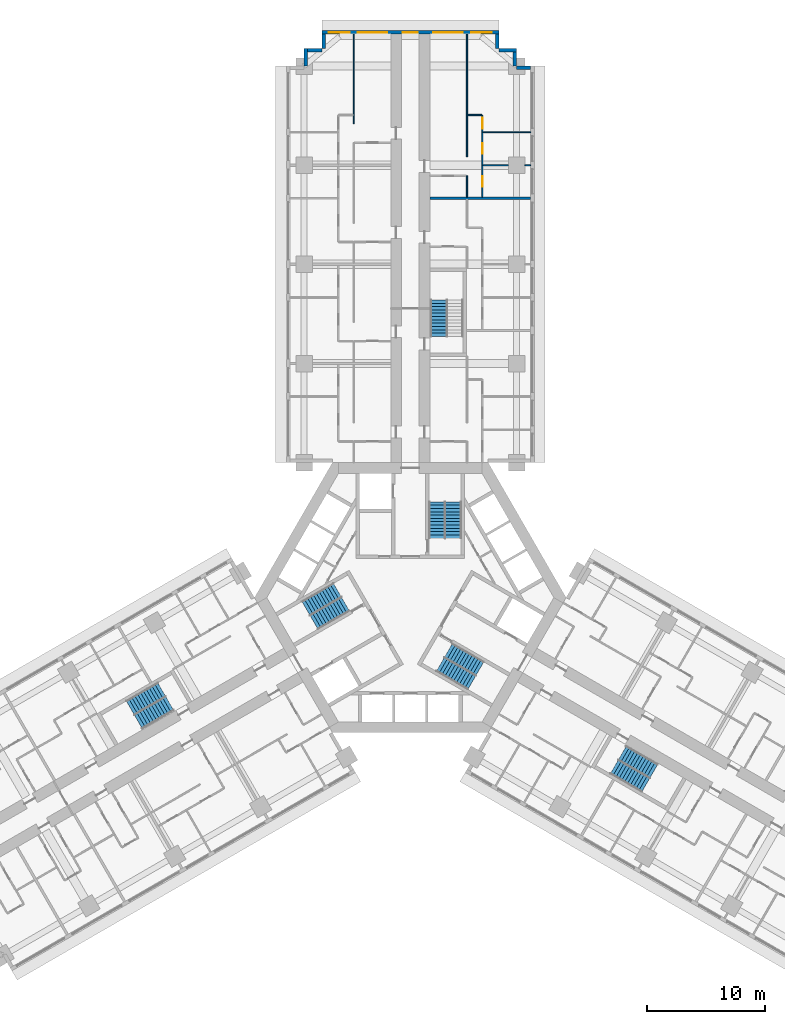
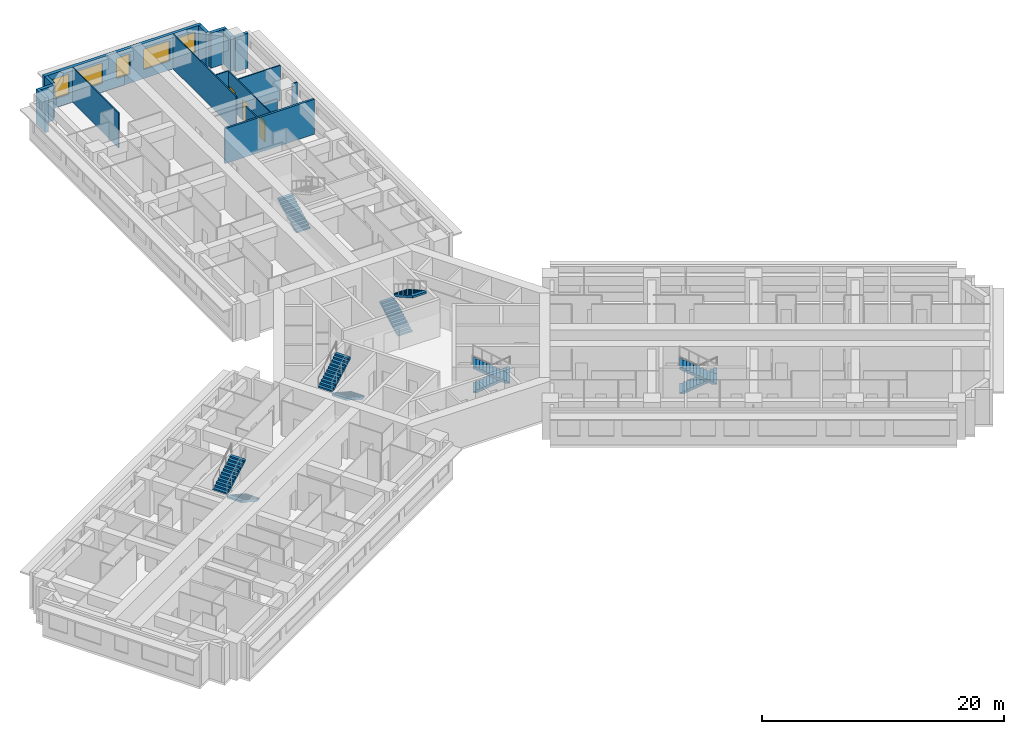
# One storey, part 14 of 16: 17 walls, 11 stair flights, 5 windows, 3 doors, 8 openings, 6 elements without a shape of their own.
"""IFC4 building model written with IfcOpenShell, lengths in metres."""

from ifc_helpers import new_model, si_unit, direction, frame, frame_2d, origin, place, context, subcontext, project, spatial, polyline, rectangle, outline, extrude, material, layer, layer_set, type_object, element, fill, aggregate, save


model = new_model("IFC4")

# Units and contexts
model_context = context("Model", 3, precision=1e-05, world=origin(), true_north=direction((0.0, 1.0)))
body_context = subcontext(model_context, "Body", "Model", "MODEL_VIEW")
ifc_project = project(units=[si_unit("LENGTHUNIT", "METRE"), si_unit("AREAUNIT", "SQUARE_METRE"), si_unit("VOLUMEUNIT", "CUBIC_METRE"), si_unit("PLANEANGLEUNIT", "RADIAN"), si_unit("MASSUNIT", "GRAM", prefix="KILO")], contexts=[model_context])

# Site, building, storey
site_placement = place(None, origin())
site = spatial("IfcSite", under=ifc_project, at=site_placement, CompositionType="ELEMENT")
building_placement = place(site_placement, origin())
building = spatial("IfcBuilding", under=site, at=building_placement, Name="Impinga Residences", CompositionType="ELEMENT")
storey_placement = place(building_placement, frame((0.0, 0.0, 74.75)))
storey = spatial("IfcBuildingStorey", under=building, at=storey_placement, Name="L18", CompositionType="ELEMENT", Elevation=74.75)

# Walls
ifc_material_1 = material(Name="Terracotta rainscreen on blockwork", Category="masonry")
ifc_layer_1 = layer(ifc_material_1, 0.300048828125)
ifc_layer_set_1 = layer_set([ifc_layer_1], Name="EW1 external wall, terracotta rainscreen on blockwork 300")
wall_type_1 = type_object("IfcWallType", Name="EW1 external wall, terracotta rainscreen on blockwork 300", PredefinedType="SOLIDWALL", material=ifc_layer_set_1)
wall_1_placement = place(storey_placement, frame((-8.85009765625, 45.03662109375, 0.0), z_axis=(0.0, 0.0, 1.0), x_axis=(0.0, 1.0, 0.0)))
element("IfcWall", 1, at=wall_1_placement, inside=storey, type_object=wall_type_1, Name="External wall EW1 L18", PredefinedType="SOLIDWALL", context=body_context, shape_type="SweptSolid", body=[
    extrude(rectangle(XDim=1.494873046875, YDim=0.300048828125, at=frame_2d((0.74755859375, 0.0))), origin(), (0.0, 0.0, 1.0), 3.530029296875),
])
wall_2_placement = place(storey_placement, frame((-8.699951171875, 46.381591796875, 0.0), z_axis=(0.0, 0.0, 1.0), x_axis=(1.0, 0.0, 0.0)))
element("IfcWall", 2, at=wall_2_placement, inside=storey, type_object=wall_type_1, Name="External wall EW1 L18", PredefinedType="SOLIDWALL", context=body_context, shape_type="SweptSolid", body=[
    extrude(rectangle(XDim=1.199951171875, YDim=0.300048828125, at=frame_2d((0.60009765625, 0.0))), origin(), (0.0, 0.0, 1.0), 3.530029296875),
])
wall_3_placement = place(storey_placement, frame((-7.35009765625, 46.53662109375, 0.0), z_axis=(0.0, 0.0, 1.0), x_axis=(0.0, 1.0, 0.0)))
element("IfcWall", 3, at=wall_3_placement, inside=storey, type_object=wall_type_1, Name="External wall EW1 L18", PredefinedType="SOLIDWALL", context=body_context, shape_type="SweptSolid", body=[
    extrude(rectangle(XDim=1.19482421875, YDim=0.300048828125, at=frame_2d((0.597412109375, 0.0))), origin(), (0.0, 0.0, 1.0), 3.530029296875),
])

# Wall, openings, windows
wall_4_placement = place(storey_placement, frame((-7.5, 47.881591796875, 0.0), z_axis=(0.0, 0.0, 1.0), x_axis=(1.0, 0.0, 0.0)))
wall_4 = element("IfcWall", 4, at=wall_4_placement, inside=storey, type_object=wall_type_1, Name="External wall EW1 L18", PredefinedType="SOLIDWALL", context=body_context, shape_type="SweptSolid", body=[
    extrude(rectangle(XDim=15.0, YDim=0.300048828125, at=frame_2d((7.5, 0.0))), origin(), (0.0, 0.0, 1.0), 3.530029296875),
])
opening_1_placement = place(wall_4_placement, frame((0.60009765625, 0.0, 0.89990234375)))
opening_1 = element("IfcOpeningElement", 5, at=opening_1_placement, cuts=wall_4, Name="Opening W1", PredefinedType="OPENING", context=body_context, shape_type="SweptSolid", body=[
    extrude(rectangle(XDim=1.75, YDim=2.050048828125, at=frame_2d((0.875, 1.02490234375))), frame((0.0, 0.159912109375, 0.0), z_axis=(0.0, -1.0, 0.0), x_axis=(1.0, 0.0, 0.0)), (0.0, 0.0, 1.0), 0.320068359375),
])
opening_2_placement = place(wall_4_placement, frame((3.050048828125, 0.0, 0.89990234375)))
opening_2 = element("IfcOpeningElement", 6, at=opening_2_placement, cuts=wall_4, Name="Opening W2", PredefinedType="OPENING", context=body_context, shape_type="SweptSolid", body=[
    extrude(rectangle(XDim=2.5, YDim=2.050048828125, at=frame_2d((1.25, 1.02490234375))), frame((0.0, 0.159912109375, 0.0), z_axis=(0.0, -1.0, 0.0), x_axis=(1.0, 0.0, 0.0)), (0.0, 0.0, 1.0), 0.320068359375),
])
opening_3_placement = place(wall_4_placement, frame((6.85009765625, 0.0, 0.89990234375)))
opening_3 = element("IfcOpeningElement", 7, at=opening_3_placement, cuts=wall_4, Name="Opening WE1", PredefinedType="OPENING", context=body_context, shape_type="SweptSolid", body=[
    extrude(rectangle(XDim=1.300048828125, YDim=2.050048828125, at=frame_2d((0.64990234375, 1.02490234375))), frame((0.0, 0.159912109375, 0.0), z_axis=(0.0, -1.0, 0.0), x_axis=(1.0, 0.0, 0.0)), (0.0, 0.0, 1.0), 0.320068359375),
])
opening_4_placement = place(wall_4_placement, frame((9.449951171875, 0.0, 0.89990234375)))
opening_4 = element("IfcOpeningElement", 8, at=opening_4_placement, cuts=wall_4, Name="Opening W2", PredefinedType="OPENING", context=body_context, shape_type="SweptSolid", body=[
    extrude(rectangle(XDim=2.5, YDim=2.050048828125, at=frame_2d((1.25, 1.02490234375))), frame((0.0, 0.159912109375, 0.0), z_axis=(0.0, -1.0, 0.0), x_axis=(1.0, 0.0, 0.0)), (0.0, 0.0, 1.0), 0.320068359375),
])
opening_5_placement = place(wall_4_placement, frame((12.64990234375, 0.0, 0.89990234375)))
opening_5 = element("IfcOpeningElement", 9, at=opening_5_placement, cuts=wall_4, Name="Opening W1", PredefinedType="OPENING", context=body_context, shape_type="SweptSolid", body=[
    extrude(rectangle(XDim=1.75, YDim=2.050048828125, at=frame_2d((0.875, 1.02490234375))), frame((0.0, 0.159912109375, 0.0), z_axis=(0.0, -1.0, 0.0), x_axis=(1.0, 0.0, 0.0)), (0.0, 0.0, 1.0), 0.320068359375),
])
ifc_material_2 = material(Name="Aluminium window, clear double glazing", Category="aluminium")
window_type_1 = type_object("IfcWindowType", Name="W1 ribbon window 1750x2050", PartitioningType="SINGLE_PANEL", PredefinedType="WINDOW", material=ifc_material_2)
window_1_placement = place(opening_1_placement, origin())
window_1 = element("IfcWindow", 10, at=window_1_placement, inside=storey, type_object=window_type_1, Name="Window L18", OverallHeight=2.050048828125, OverallWidth=1.75, PartitioningType="SINGLE_PANEL", PredefinedType="WINDOW", context=body_context, shape_type="SweptSolid", body=[
    extrude(rectangle(XDim=1.75, YDim=2.050048828125, at=frame_2d((0.875, 1.02490234375))), frame((0.0, 0.030029296875, 0.0), z_axis=(0.0, -1.0, 0.0), x_axis=(1.0, 0.0, 0.0)), (0.0, 0.0, 1.0), 0.06005859375),
])
fill(opening_1, window_1)
window_2_placement = place(opening_5_placement, origin())
window_2 = element("IfcWindow", 11, at=window_2_placement, inside=storey, type_object=window_type_1, Name="Window L18", OverallHeight=2.050048828125, OverallWidth=1.75, PartitioningType="SINGLE_PANEL", PredefinedType="WINDOW", context=body_context, shape_type="SweptSolid", body=[
    extrude(rectangle(XDim=1.75, YDim=2.050048828125, at=frame_2d((0.875, 1.02490234375))), frame((0.0, 0.030029296875, 0.0), z_axis=(0.0, -1.0, 0.0), x_axis=(1.0, 0.0, 0.0)), (0.0, 0.0, 1.0), 0.06005859375),
])
fill(opening_5, window_2)
window_type_2 = type_object("IfcWindowType", Name="W2 ribbon window 2500x2050", PartitioningType="SINGLE_PANEL", PredefinedType="WINDOW", material=ifc_material_2)
window_3_placement = place(opening_2_placement, origin())
window_3 = element("IfcWindow", 12, at=window_3_placement, inside=storey, type_object=window_type_2, Name="Window L18", OverallHeight=2.050048828125, OverallWidth=2.5, PartitioningType="SINGLE_PANEL", PredefinedType="WINDOW", context=body_context, shape_type="SweptSolid", body=[
    extrude(rectangle(XDim=2.5, YDim=2.050048828125, at=frame_2d((1.25, 1.02490234375))), frame((0.0, 0.030029296875, 0.0), z_axis=(0.0, -1.0, 0.0), x_axis=(1.0, 0.0, 0.0)), (0.0, 0.0, 1.0), 0.06005859375),
])
fill(opening_2, window_3)
window_4_placement = place(opening_4_placement, origin())
window_4 = element("IfcWindow", 13, at=window_4_placement, inside=storey, type_object=window_type_2, Name="Window L18", OverallHeight=2.050048828125, OverallWidth=2.5, PartitioningType="SINGLE_PANEL", PredefinedType="WINDOW", context=body_context, shape_type="SweptSolid", body=[
    extrude(rectangle(XDim=2.5, YDim=2.050048828125, at=frame_2d((1.25, 1.02490234375))), frame((0.0, 0.030029296875, 0.0), z_axis=(0.0, -1.0, 0.0), x_axis=(1.0, 0.0, 0.0)), (0.0, 0.0, 1.0), 0.06005859375),
])
fill(opening_4, window_4)
window_type_3 = type_object("IfcWindowType", Name="WE1 corridor window 1300x2050", PartitioningType="SINGLE_PANEL", PredefinedType="WINDOW", material=ifc_material_2)
window_5_placement = place(opening_3_placement, origin())
window_5 = element("IfcWindow", 14, at=window_5_placement, inside=storey, type_object=window_type_3, Name="Window L18", OverallHeight=2.050048828125, OverallWidth=1.300048828125, PartitioningType="SINGLE_PANEL", PredefinedType="WINDOW", context=body_context, shape_type="SweptSolid", body=[
    extrude(rectangle(XDim=1.300048828125, YDim=2.050048828125, at=frame_2d((0.64990234375, 1.02490234375))), frame((0.0, 0.030029296875, 0.0), z_axis=(0.0, -1.0, 0.0), x_axis=(1.0, 0.0, 0.0)), (0.0, 0.0, 1.0), 0.06005859375),
])
fill(opening_3, window_5)

# Walls
wall_5_placement = place(storey_placement, frame((7.35009765625, 47.7314453125, 0.0), z_axis=(0.0, 0.0, 1.0), x_axis=(0.0, -1.0, 0.0)))
element("IfcWall", 15, at=wall_5_placement, inside=storey, type_object=wall_type_1, Name="External wall EW1 L18", PredefinedType="SOLIDWALL", context=body_context, shape_type="SweptSolid", body=[
    extrude(rectangle(XDim=1.19482421875, YDim=0.300048828125, at=frame_2d((0.597412109375, 0.0))), origin(), (0.0, 0.0, 1.0), 3.530029296875),
])
wall_6_placement = place(storey_placement, frame((7.5, 46.381591796875, 0.0), z_axis=(0.0, 0.0, 1.0), x_axis=(1.0, 0.0, 0.0)))
element("IfcWall", 16, at=wall_6_placement, inside=storey, type_object=wall_type_1, Name="External wall EW1 L18", PredefinedType="SOLIDWALL", context=body_context, shape_type="SweptSolid", body=[
    extrude(rectangle(XDim=1.5, YDim=0.300048828125, at=frame_2d((0.75, 0.0))), origin(), (0.0, 0.0, 1.0), 3.530029296875),
])
wall_7_placement = place(storey_placement, frame((8.85009765625, 46.2314453125, 0.0), z_axis=(0.0, 0.0, 1.0), x_axis=(0.0, -1.0, 0.0)))
element("IfcWall", 17, at=wall_7_placement, inside=storey, type_object=wall_type_1, Name="External wall EW1 L18", PredefinedType="SOLIDWALL", context=body_context, shape_type="SweptSolid", body=[
    extrude(rectangle(XDim=1.199951171875, YDim=0.300048828125, at=frame_2d((0.60009765625, 0.0))), origin(), (0.0, 0.0, 1.0), 3.530029296875),
])
wall_8_placement = place(storey_placement, frame((9.0048828125, 44.881591796875, 0.0), z_axis=(0.0, 0.0, 1.0), x_axis=(1.0, 0.0, 0.0)))
element("IfcWall", 18, at=wall_8_placement, inside=storey, type_object=wall_type_1, Name="External wall EW1 L18", PredefinedType="SOLIDWALL", context=body_context, shape_type="SweptSolid", body=[
    extrude(rectangle(XDim=1.195068359375, YDim=0.300048828125, at=frame_2d((0.59765625, 0.0))), origin(), (0.0, 0.0, 1.0), 3.530029296875),
])
ifc_material_3 = material(Name="Gypsum board on steel studs", Category="steel")
ifc_layer_2 = layer(ifc_material_3, 0.10009765625)
ifc_layer_set_2 = layer_set([ifc_layer_2], Name="Gypsum board on steel studs")
wall_type_2 = type_object("IfcWallType", Name="IP1 partition 100", PredefinedType="PARTITIONING", material=ifc_layer_set_2)
wall_9_placement = place(storey_placement, frame((-4.800048828125, 40.131591796875, 0.0), z_axis=(0.0, 0.0, 1.0), x_axis=(0.0, 1.0, 0.0)))
element("IfcWall", 19, at=wall_9_placement, inside=storey, type_object=wall_type_2, Name="Partition L18-NA4:DIV1", PredefinedType="PARTITIONING", context=body_context, shape_type="SweptSolid", body=[
    extrude(rectangle(XDim=7.599853515625, YDim=0.10009765625, at=frame_2d((3.7998046875, 0.0))), origin(), (0.0, 0.0, 1.0), 3.530029296875),
])
wall_10_placement = place(storey_placement, frame((4.800048828125, 33.931640625, 0.0), z_axis=(0.0, 0.0, 1.0), x_axis=(0.0, 1.0, 0.0)))
element("IfcWall", 20, at=wall_10_placement, inside=storey, type_object=wall_type_2, Name="Partition L18-NF3:DIV0", PredefinedType="PARTITIONING", context=body_context, shape_type="SweptSolid", body=[
    extrude(rectangle(XDim=1.7998046875, YDim=0.10009765625, at=frame_2d((0.89990234375, 0.0))), origin(), (0.0, 0.0, 1.0), 3.530029296875),
])
wall_11_placement = place(storey_placement, frame((4.800048828125, 37.33154296875, 0.0), z_axis=(0.0, 0.0, 1.0), x_axis=(0.0, 1.0, 0.0)))
element("IfcWall", 21, at=wall_11_placement, inside=storey, type_object=wall_type_2, Name="Partition L18-NF3:DIV1", PredefinedType="PARTITIONING", context=body_context, shape_type="SweptSolid", body=[
    extrude(rectangle(XDim=10.39990234375, YDim=0.10009765625, at=frame_2d((5.199951171875, 0.0))), origin(), (0.0, 0.0, 1.0), 3.530029296875),
])

# Wall, openings, doors
wall_12_placement = place(storey_placement, frame((6.10009765625, 33.931640625, 0.0), z_axis=(0.0, 0.0, 1.0), x_axis=(0.0, 1.0, 0.0)))
wall_12 = element("IfcWall", 22, at=wall_12_placement, inside=storey, type_object=wall_type_2, Name="Partition L18-NF3:STRIP", PredefinedType="PARTITIONING", context=body_context, shape_type="SweptSolid", body=[
    extrude(rectangle(XDim=6.949951171875, YDim=0.10009765625, at=frame_2d((3.47509765625, 0.0))), origin(), (0.0, 0.0, 1.0), 3.530029296875),
])
opening_6_placement = place(wall_12_placement, frame((0.875, 0.0, 0.0)))
opening_6 = element("IfcOpeningElement", 23, at=opening_6_placement, cuts=wall_12, Name="Opening D2", PredefinedType="OPENING", context=body_context, shape_type="SweptSolid", body=[
    extrude(rectangle(XDim=0.89990234375, YDim=2.10009765625, at=frame_2d((0.449951171875, 1.050048828125))), frame((0.0, 0.06005859375, 0.0), z_axis=(0.0, -1.0, 0.0), x_axis=(1.0, 0.0, 0.0)), (0.0, 0.0, 1.0), 0.1201171875),
])
opening_7_placement = place(wall_12_placement, frame((3.64990234375, 0.0, 0.0)))
opening_7 = element("IfcOpeningElement", 24, at=opening_7_placement, cuts=wall_12, Name="Opening D2", PredefinedType="OPENING", context=body_context, shape_type="SweptSolid", body=[
    extrude(rectangle(XDim=0.89990234375, YDim=2.10009765625, at=frame_2d((0.449951171875, 1.050048828125))), frame((0.0, 0.06005859375, 0.0), z_axis=(0.0, -1.0, 0.0), x_axis=(1.0, 0.0, 0.0)), (0.0, 0.0, 1.0), 0.1201171875),
])
opening_8_placement = place(wall_12_placement, frame((5.800048828125, 0.0, 0.0)))
opening_8 = element("IfcOpeningElement", 25, at=opening_8_placement, cuts=wall_12, Name="Opening D2", PredefinedType="OPENING", context=body_context, shape_type="SweptSolid", body=[
    extrude(rectangle(XDim=0.89990234375, YDim=2.10009765625, at=frame_2d((0.449951171875, 1.050048828125))), frame((0.0, 0.06005859375, 0.0), z_axis=(0.0, -1.0, 0.0), x_axis=(1.0, 0.0, 0.0)), (0.0, 0.0, 1.0), 0.1201171875),
])
ifc_material_4 = material(Name="Timber door set", Category="wood")
door_type = type_object("IfcDoorType", Name="D2 internal door 900x2100", OperationType="SINGLE_SWING_LEFT", PredefinedType="DOOR", material=ifc_material_4)
door_1_placement = place(opening_6_placement, origin())
door_1 = element("IfcDoor", 26, at=door_1_placement, inside=storey, type_object=door_type, Name="Apartment L18-NF3 room door", OperationType="SINGLE_SWING_LEFT", OverallHeight=2.10009765625, OverallWidth=0.89990234375, PredefinedType="DOOR", context=body_context, shape_type="SweptSolid", body=[
    extrude(rectangle(XDim=0.89990234375, YDim=2.10009765625, at=frame_2d((0.449951171875, 1.050048828125))), frame((0.0, 0.02490234375, 0.0), z_axis=(0.0, -1.0, 0.0), x_axis=(1.0, 0.0, 0.0)), (0.0, 0.0, 1.0), 0.050048828125),
])
fill(opening_6, door_1)
door_2_placement = place(opening_7_placement, origin())
door_2 = element("IfcDoor", 27, at=door_2_placement, inside=storey, type_object=door_type, Name="Apartment L18-NF3 room door", OperationType="SINGLE_SWING_RIGHT", OverallHeight=2.10009765625, OverallWidth=0.89990234375, PredefinedType="DOOR", context=body_context, shape_type="SweptSolid", body=[
    extrude(rectangle(XDim=0.89990234375, YDim=2.10009765625, at=frame_2d((0.449951171875, 1.050048828125))), frame((0.0, 0.02490234375, 0.0), z_axis=(0.0, -1.0, 0.0), x_axis=(1.0, 0.0, 0.0)), (0.0, 0.0, 1.0), 0.050048828125),
])
fill(opening_7, door_2)
door_3_placement = place(opening_8_placement, origin())
door_3 = element("IfcDoor", 28, at=door_3_placement, inside=storey, type_object=door_type, Name="Apartment L18-NF3 room door", OperationType="SINGLE_SWING_RIGHT", OverallHeight=2.10009765625, OverallWidth=0.89990234375, PredefinedType="DOOR", context=body_context, shape_type="SweptSolid", body=[
    extrude(rectangle(XDim=0.89990234375, YDim=2.10009765625, at=frame_2d((0.449951171875, 1.050048828125))), frame((0.0, 0.02490234375, 0.0), z_axis=(0.0, -1.0, 0.0), x_axis=(1.0, 0.0, 0.0)), (0.0, 0.0, 1.0), 0.050048828125),
])
fill(opening_8, door_3)

# Walls
wall_13_placement = place(storey_placement, frame((4.85009765625, 40.881591796875, 0.0), z_axis=(0.0, 0.0, 1.0), x_axis=(1.0, 0.0, 0.0)))
element("IfcWall", 29, at=wall_13_placement, inside=storey, type_object=wall_type_2, Name="Partition L18-NF3:SE1", PredefinedType="PARTITIONING", context=body_context, shape_type="SweptSolid", body=[
    extrude(rectangle(XDim=1.199951171875, YDim=0.10009765625, at=frame_2d((0.60009765625, 0.0))), origin(), (0.0, 0.0, 1.0), 3.530029296875),
])
wall_14_placement = place(storey_placement, frame((6.14990234375, 36.631591796875, 0.0), z_axis=(0.0, 0.0, 1.0), x_axis=(1.0, 0.0, 0.0)))
element("IfcWall", 30, at=wall_14_placement, inside=storey, type_object=wall_type_2, Name="Partition L18-NF3:OB1", PredefinedType="PARTITIONING", context=body_context, shape_type="SweptSolid", body=[
    extrude(rectangle(XDim=2.150146484375, YDim=0.10009765625, at=frame_2d((1.0751953125, 0.0))), origin(), (0.0, 0.0, 1.0), 2.47998046875),
])
wall_15_placement = place(storey_placement, frame((9.699951171875, 36.631591796875, 0.0), z_axis=(0.0, 0.0, 1.0), x_axis=(1.0, 0.0, 0.0)))
element("IfcWall", 31, at=wall_15_placement, inside=storey, type_object=wall_type_2, Name="Partition L18-NF3:OB1b", PredefinedType="PARTITIONING", context=body_context, shape_type="SweptSolid", body=[
    extrude(rectangle(XDim=0.5, YDim=0.10009765625, at=frame_2d((0.25, 0.0))), origin(), (0.0, 0.0, 1.0), 3.530029296875),
])
wall_16_placement = place(storey_placement, frame((6.14990234375, 39.431640625, 0.0), z_axis=(0.0, 0.0, 1.0), x_axis=(1.0, 0.0, 0.0)))
element("IfcWall", 32, at=wall_16_placement, inside=storey, type_object=wall_type_2, Name="Partition L18-NF3:OB2", PredefinedType="PARTITIONING", context=body_context, shape_type="SweptSolid", body=[
    extrude(rectangle(XDim=4.050048828125, YDim=0.10009765625, at=frame_2d((2.02490234375, 0.0))), origin(), (0.0, 0.0, 1.0), 3.530029296875),
])
ifc_material_5 = material(Name="Concrete blockwork", Category="masonry")
ifc_layer_3 = layer(ifc_material_5, 0.199951171875)
ifc_layer_set_3 = layer_set([ifc_layer_3], Name="PW1 party wall between apartments 200")
wall_type_3 = type_object("IfcWallType", Name="PW1 party wall between apartments 200", PredefinedType="SOLIDWALL", material=ifc_layer_set_3)
wall_17_placement = place(storey_placement, frame((1.64990234375, 33.83154296875, 0.0), z_axis=(0.0, 0.0, 1.0), x_axis=(1.0, 0.0, 0.0)))
element("IfcWall", 33, at=wall_17_placement, inside=storey, type_object=wall_type_3, Name="Party wall between apartments L18-NF2:PARTY", PredefinedType="SOLIDWALL", context=body_context, shape_type="SweptSolid", body=[
    extrude(rectangle(XDim=8.550048828125, YDim=0.199951171875, at=frame_2d((4.27490234375, 0.0))), origin(), (0.0, 0.0, 1.0), 3.530029296875),
])

# Stair, stair flights
ifc_material_6 = material(Name="Concrete C40/50", Category="concrete")
stair_type_1 = type_object("IfcStairType", Name="STR core stair 3750 storey, 24 risers", PredefinedType="HALF_TURN_STAIR", material=ifc_material_6)
stair_1_placement = place(storey_placement, origin())
stair_1 = element("IfcStair", 34, at=stair_1_placement, inside=storey, type_object=stair_type_1, Name="Stair ST1 L18", PredefinedType="HALF_TURN_STAIR")
stair_flight_type = type_object("IfcStairFlightType", Name="SF 12 risers of 156", PredefinedType="STRAIGHT", material=ifc_material_6)
stair_flight_1_placement = place(storey_placement, frame((2.27490234375, 5.030029296875, 0.0), z_axis=(0.0, 0.0, 1.0), x_axis=(0.0, 1.0, 0.0)))
stair_flight_1 = element("IfcStairFlight", 35, at=stair_flight_1_placement, type_object=stair_flight_type, Name="ST1 flight 1", NumberOfRisers=12, NumberOfTreads=11, PredefinedType="STRAIGHT", RiserHeight=0.15625, TreadLength=0.28, context=body_context, shape_type="SweptSolid", body=[
    extrude(outline(polyline([(0.0, 0.0), (0.0, 0.15625), (0.280029296875, 0.15625), (0.280029296875, 0.3125), (0.56005859375, 0.3125), (0.56005859375, 0.46875), (0.840087890625, 0.46875), (0.840087890625, 0.625), (1.1201171875, 0.625), (1.1201171875, 0.78125), (1.39990234375, 0.78125), (1.39990234375, 0.9375), (1.679931640625, 0.9375), (1.679931640625, 1.09375), (1.9599609375, 1.09375), (1.9599609375, 1.25), (2.239990234375, 1.25), (2.239990234375, 1.40625), (2.52001953125, 1.40625), (2.52001953125, 1.5625), (2.800048828125, 1.5625), (2.800048828125, 1.71875), (3.080078125, 1.71875), (3.080078125, 1.875), (3.080078125, 1.5126953125), (0.369140625, 0.0), (0.0, 0.0)])), frame((0.0, 0.675048828125, 0.0), z_axis=(0.0, -1.0, 0.0), x_axis=(1.0, 0.0, 0.0)), (0.0, 0.0, 1.0), 1.35009765625),
])
stair_flight_2_placement = place(storey_placement, frame((3.625, 8.110107421875, 1.875), z_axis=(0.0, 0.0, 1.0), x_axis=(0.0, -1.0, 0.0)))
stair_flight_2 = element("IfcStairFlight", 36, at=stair_flight_2_placement, type_object=stair_flight_type, Name="ST1 flight 2", NumberOfRisers=12, NumberOfTreads=11, PredefinedType="STRAIGHT", RiserHeight=0.15625, TreadLength=0.28, context=body_context, shape_type="SweptSolid", body=[
    extrude(outline(polyline([(0.0, 0.0), (0.0, 0.15625), (0.280029296875, 0.15625), (0.280029296875, 0.3125), (0.56005859375, 0.3125), (0.56005859375, 0.46875), (0.840087890625, 0.46875), (0.840087890625, 0.625), (1.1201171875, 0.625), (1.1201171875, 0.78125), (1.39990234375, 0.78125), (1.39990234375, 0.9375), (1.679931640625, 0.9375), (1.679931640625, 1.09375), (1.9599609375, 1.09375), (1.9599609375, 1.25), (2.239990234375, 1.25), (2.239990234375, 1.40625), (2.52001953125, 1.40625), (2.52001953125, 1.5625), (2.800048828125, 1.5625), (2.800048828125, 1.71875), (3.080078125, 1.71875), (3.080078125, 1.875), (3.080078125, 1.5126953125), (0.369140625, 0.0), (0.0, 0.0)])), frame((0.0, 0.675048828125, 0.0), z_axis=(0.0, -1.0, 0.0), x_axis=(1.0, 0.0, 0.0)), (0.0, 0.0, 1.0), 1.35009765625),
])
aggregate(stair_1, [stair_flight_1, stair_flight_2])

stair_2_placement = place(storey_placement, origin())
stair_2 = element("IfcStair", 37, at=stair_2_placement, inside=storey, type_object=stair_type_1, Name="Stair ST2 L18", PredefinedType="HALF_TURN_STAIR")
stair_flight_3_placement = place(storey_placement, frame((-5.49365234375, -0.544677734375, 0.0), z_axis=(0.0, 0.0, 1.0), x_axis=(-0.866025403784, -0.5, 0.0)))
stair_flight_3 = element("IfcStairFlight", 38, at=stair_flight_3_placement, type_object=stair_flight_type, Name="ST2 flight 1", NumberOfRisers=12, NumberOfTreads=11, PredefinedType="STRAIGHT", RiserHeight=0.15625, TreadLength=0.28, context=body_context, shape_type="SweptSolid", body=[
    extrude(outline(polyline([(0.0, 0.0), (0.0, 0.15625), (0.280029296875, 0.15625), (0.280029296875, 0.3125), (0.56005859375, 0.3125), (0.56005859375, 0.46875), (0.840087890625, 0.46875), (0.840087890625, 0.625), (1.1201171875, 0.625), (1.1201171875, 0.78125), (1.39990234375, 0.78125), (1.39990234375, 0.9375), (1.679931640625, 0.9375), (1.679931640625, 1.09375), (1.9599609375, 1.09375), (1.9599609375, 1.25), (2.239990234375, 1.25), (2.239990234375, 1.40625), (2.52001953125, 1.40625), (2.52001953125, 1.5625), (2.800048828125, 1.5625), (2.800048828125, 1.71875), (3.080078125, 1.71875), (3.080078125, 1.875), (3.080078125, 1.5126953125), (0.369140625, 0.0), (0.0, 0.0)])), frame((0.0, 0.675048828125, 0.0), z_axis=(0.0, -1.0, 0.0), x_axis=(1.0, 0.0, 0.0)), (0.0, 0.0, 1.0), 1.35009765625),
])
stair_flight_4_placement = place(storey_placement, frame((-8.8359375, -0.915771484375, 1.875), z_axis=(0.0, 0.0, 1.0), x_axis=(0.866025403784, 0.5, 0.0)))
stair_flight_4 = element("IfcStairFlight", 39, at=stair_flight_4_placement, type_object=stair_flight_type, Name="ST2 flight 2", NumberOfRisers=12, NumberOfTreads=11, PredefinedType="STRAIGHT", RiserHeight=0.15625, TreadLength=0.28, context=body_context, shape_type="SweptSolid", body=[
    extrude(outline(polyline([(0.0, 0.0), (0.0, 0.15625), (0.280029296875, 0.15625), (0.280029296875, 0.3125), (0.56005859375, 0.3125), (0.56005859375, 0.46875), (0.840087890625, 0.46875), (0.840087890625, 0.625), (1.1201171875, 0.625), (1.1201171875, 0.78125), (1.39990234375, 0.78125), (1.39990234375, 0.9375), (1.679931640625, 0.9375), (1.679931640625, 1.09375), (1.9599609375, 1.09375), (1.9599609375, 1.25), (2.239990234375, 1.25), (2.239990234375, 1.40625), (2.52001953125, 1.40625), (2.52001953125, 1.5625), (2.800048828125, 1.5625), (2.800048828125, 1.71875), (3.080078125, 1.71875), (3.080078125, 1.875), (3.080078125, 1.5126953125), (0.369140625, 0.0), (0.0, 0.0)])), frame((0.0, 0.675048828125, 0.0), z_axis=(0.0, -1.0, 0.0), x_axis=(1.0, 0.0, 0.0)), (0.0, 0.0, 1.0), 1.35009765625),
])
aggregate(stair_2, [stair_flight_3, stair_flight_4])

stair_3_placement = place(storey_placement, origin())
stair_3 = element("IfcStair", 40, at=stair_3_placement, inside=storey, type_object=stair_type_1, Name="Stair ST3 L18", PredefinedType="HALF_TURN_STAIR")
stair_flight_5_placement = place(storey_placement, frame((3.218505859375, -4.485107421875, 0.0), z_axis=(0.0, 0.0, 1.0), x_axis=(0.866025403784, -0.5, 0.0)))
stair_flight_5 = element("IfcStairFlight", 41, at=stair_flight_5_placement, type_object=stair_flight_type, Name="ST3 flight 1", NumberOfRisers=12, NumberOfTreads=11, PredefinedType="STRAIGHT", RiserHeight=0.15625, TreadLength=0.28, context=body_context, shape_type="SweptSolid", body=[
    extrude(outline(polyline([(0.0, 0.0), (0.0, 0.15625), (0.280029296875, 0.15625), (0.280029296875, 0.3125), (0.56005859375, 0.3125), (0.56005859375, 0.46875), (0.840087890625, 0.46875), (0.840087890625, 0.625), (1.1201171875, 0.625), (1.1201171875, 0.78125), (1.39990234375, 0.78125), (1.39990234375, 0.9375), (1.679931640625, 0.9375), (1.679931640625, 1.09375), (1.9599609375, 1.09375), (1.9599609375, 1.25), (2.239990234375, 1.25), (2.239990234375, 1.40625), (2.52001953125, 1.40625), (2.52001953125, 1.5625), (2.800048828125, 1.5625), (2.800048828125, 1.71875), (3.080078125, 1.71875), (3.080078125, 1.875), (3.080078125, 1.5126953125), (0.369140625, 0.0), (0.0, 0.0)])), frame((0.0, 0.675048828125, 0.0), z_axis=(0.0, -1.0, 0.0), x_axis=(1.0, 0.0, 0.0)), (0.0, 0.0, 1.0), 1.35009765625),
])
stair_flight_6_placement = place(storey_placement, frame((5.2109375, -7.1943359375, 1.875), z_axis=(0.0, 0.0, 1.0), x_axis=(-0.866025403784, 0.5, 0.0)))
stair_flight_6 = element("IfcStairFlight", 42, at=stair_flight_6_placement, type_object=stair_flight_type, Name="ST3 flight 2", NumberOfRisers=12, NumberOfTreads=11, PredefinedType="STRAIGHT", RiserHeight=0.15625, TreadLength=0.28, context=body_context, shape_type="SweptSolid", body=[
    extrude(outline(polyline([(0.0, 0.0), (0.0, 0.15625), (0.280029296875, 0.15625), (0.280029296875, 0.3125), (0.56005859375, 0.3125), (0.56005859375, 0.46875), (0.840087890625, 0.46875), (0.840087890625, 0.625), (1.1201171875, 0.625), (1.1201171875, 0.78125), (1.39990234375, 0.78125), (1.39990234375, 0.9375), (1.679931640625, 0.9375), (1.679931640625, 1.09375), (1.9599609375, 1.09375), (1.9599609375, 1.25), (2.239990234375, 1.25), (2.239990234375, 1.40625), (2.52001953125, 1.40625), (2.52001953125, 1.5625), (2.800048828125, 1.5625), (2.800048828125, 1.71875), (3.080078125, 1.71875), (3.080078125, 1.875), (3.080078125, 1.5126953125), (0.369140625, 0.0), (0.0, 0.0)])), frame((0.0, 0.675048828125, 0.0), z_axis=(0.0, -1.0, 0.0), x_axis=(1.0, 0.0, 0.0)), (0.0, 0.0, 1.0), 1.35009765625),
])
aggregate(stair_3, [stair_flight_5, stair_flight_6])

# Stair, stair flight
stair_type_2 = type_object("IfcStairType", Name="STR wing stair 3750 storey, 24 risers", PredefinedType="HALF_TURN_STAIR", material=ifc_material_6)
stair_4_placement = place(storey_placement, origin())
stair_4 = element("IfcStair", 43, at=stair_4_placement, inside=storey, type_object=stair_type_2, Name="Stair WS1 L18", PredefinedType="HALF_TURN_STAIR")
stair_flight_7_placement = place(storey_placement, frame((2.425048828125, 22.131591796875, 0.0), z_axis=(0.0, 0.0, 1.0), x_axis=(0.0, 1.0, 0.0)))
stair_flight_7 = element("IfcStairFlight", 44, at=stair_flight_7_placement, type_object=stair_flight_type, Name="WS1 flight 1", NumberOfRisers=12, NumberOfTreads=11, PredefinedType="STRAIGHT", RiserHeight=0.15625, TreadLength=0.28, context=body_context, shape_type="SweptSolid", body=[
    extrude(outline(polyline([(0.0, 0.0), (0.0, 0.15625), (0.280029296875, 0.15625), (0.280029296875, 0.3125), (0.56005859375, 0.3125), (0.56005859375, 0.46875), (0.840087890625, 0.46875), (0.840087890625, 0.625), (1.1201171875, 0.625), (1.1201171875, 0.78125), (1.39990234375, 0.78125), (1.39990234375, 0.9375), (1.679931640625, 0.9375), (1.679931640625, 1.09375), (1.9599609375, 1.09375), (1.9599609375, 1.25), (2.239990234375, 1.25), (2.239990234375, 1.40625), (2.52001953125, 1.40625), (2.52001953125, 1.5625), (2.800048828125, 1.5625), (2.800048828125, 1.71875), (3.080078125, 1.71875), (3.080078125, 1.875), (3.080078125, 1.5126953125), (0.369140625, 0.0), (0.0, 0.0)])), frame((0.0, 0.675048828125, 0.0), z_axis=(0.0, -1.0, 0.0), x_axis=(1.0, 0.0, 0.0)), (0.0, 0.0, 1.0), 1.35009765625),
])
aggregate(stair_4, [stair_flight_7])

# Stair, stair flights
stair_5_placement = place(storey_placement, origin())
stair_5 = element("IfcStair", 45, at=stair_5_placement, inside=storey, type_object=stair_type_2, Name="Stair WS2 L18", PredefinedType="HALF_TURN_STAIR")
stair_flight_8_placement = place(storey_placement, frame((-20.37890625, -8.965576171875, 0.0), z_axis=(0.0, 0.0, 1.0), x_axis=(-0.866025403784, -0.5, 0.0)))
stair_flight_8 = element("IfcStairFlight", 46, at=stair_flight_8_placement, type_object=stair_flight_type, Name="WS2 flight 1", NumberOfRisers=12, NumberOfTreads=11, PredefinedType="STRAIGHT", RiserHeight=0.15625, TreadLength=0.28, context=body_context, shape_type="SweptSolid", body=[
    extrude(outline(polyline([(0.0, 0.0), (0.0, 0.15625), (0.280029296875, 0.15625), (0.280029296875, 0.3125), (0.56005859375, 0.3125), (0.56005859375, 0.46875), (0.840087890625, 0.46875), (0.840087890625, 0.625), (1.1201171875, 0.625), (1.1201171875, 0.78125), (1.39990234375, 0.78125), (1.39990234375, 0.9375), (1.679931640625, 0.9375), (1.679931640625, 1.09375), (1.9599609375, 1.09375), (1.9599609375, 1.25), (2.239990234375, 1.25), (2.239990234375, 1.40625), (2.52001953125, 1.40625), (2.52001953125, 1.5625), (2.800048828125, 1.5625), (2.800048828125, 1.71875), (3.080078125, 1.71875), (3.080078125, 1.875), (3.080078125, 1.5126953125), (0.369140625, 0.0), (0.0, 0.0)])), frame((0.0, 0.675048828125, 0.0), z_axis=(0.0, -1.0, 0.0), x_axis=(1.0, 0.0, 0.0)), (0.0, 0.0, 1.0), 1.35009765625),
])
stair_flight_9_placement = place(storey_placement, frame((-23.721435546875, -9.33642578125, 1.875), z_axis=(0.0, 0.0, 1.0), x_axis=(0.866025403784, 0.5, 0.0)))
stair_flight_9 = element("IfcStairFlight", 47, at=stair_flight_9_placement, type_object=stair_flight_type, Name="WS2 flight 2", NumberOfRisers=12, NumberOfTreads=11, PredefinedType="STRAIGHT", RiserHeight=0.15625, TreadLength=0.28, context=body_context, shape_type="SweptSolid", body=[
    extrude(outline(polyline([(0.0, 0.0), (0.0, 0.15625), (0.280029296875, 0.15625), (0.280029296875, 0.3125), (0.56005859375, 0.3125), (0.56005859375, 0.46875), (0.840087890625, 0.46875), (0.840087890625, 0.625), (1.1201171875, 0.625), (1.1201171875, 0.78125), (1.39990234375, 0.78125), (1.39990234375, 0.9375), (1.679931640625, 0.9375), (1.679931640625, 1.09375), (1.9599609375, 1.09375), (1.9599609375, 1.25), (2.239990234375, 1.25), (2.239990234375, 1.40625), (2.52001953125, 1.40625), (2.52001953125, 1.5625), (2.800048828125, 1.5625), (2.800048828125, 1.71875), (3.080078125, 1.71875), (3.080078125, 1.875), (3.080078125, 1.5126953125), (0.369140625, 0.0), (0.0, 0.0)])), frame((0.0, 0.675048828125, 0.0), z_axis=(0.0, -1.0, 0.0), x_axis=(1.0, 0.0, 0.0)), (0.0, 0.0, 1.0), 1.35009765625),
])
aggregate(stair_5, [stair_flight_8, stair_flight_9])

stair_6_placement = place(storey_placement, origin())
stair_6 = element("IfcStair", 48, at=stair_6_placement, inside=storey, type_object=stair_type_2, Name="Stair WS3 L18", PredefinedType="HALF_TURN_STAIR")
stair_flight_10_placement = place(storey_placement, frame((17.953857421875, -13.165771484375, 0.0), z_axis=(0.0, 0.0, 1.0), x_axis=(0.866025403784, -0.5, 0.0)))
stair_flight_10 = element("IfcStairFlight", 49, at=stair_flight_10_placement, type_object=stair_flight_type, Name="WS3 flight 1", NumberOfRisers=12, NumberOfTreads=11, PredefinedType="STRAIGHT", RiserHeight=0.15625, TreadLength=0.28, context=body_context, shape_type="SweptSolid", body=[
    extrude(outline(polyline([(0.0, 0.0), (0.0, 0.15625), (0.280029296875, 0.15625), (0.280029296875, 0.3125), (0.56005859375, 0.3125), (0.56005859375, 0.46875), (0.840087890625, 0.46875), (0.840087890625, 0.625), (1.1201171875, 0.625), (1.1201171875, 0.78125), (1.39990234375, 0.78125), (1.39990234375, 0.9375), (1.679931640625, 0.9375), (1.679931640625, 1.09375), (1.9599609375, 1.09375), (1.9599609375, 1.25), (2.239990234375, 1.25), (2.239990234375, 1.40625), (2.52001953125, 1.40625), (2.52001953125, 1.5625), (2.800048828125, 1.5625), (2.800048828125, 1.71875), (3.080078125, 1.71875), (3.080078125, 1.875), (3.080078125, 1.5126953125), (0.369140625, 0.0), (0.0, 0.0)])), frame((0.0, 0.675048828125, 0.0), z_axis=(0.0, -1.0, 0.0), x_axis=(1.0, 0.0, 0.0)), (0.0, 0.0, 1.0), 1.35009765625),
])
stair_flight_11_placement = place(storey_placement, frame((19.9462890625, -15.875, 1.875), z_axis=(0.0, 0.0, 1.0), x_axis=(-0.866025403784, 0.5, 0.0)))
stair_flight_11 = element("IfcStairFlight", 50, at=stair_flight_11_placement, type_object=stair_flight_type, Name="WS3 flight 2", NumberOfRisers=12, NumberOfTreads=11, PredefinedType="STRAIGHT", RiserHeight=0.15625, TreadLength=0.28, context=body_context, shape_type="SweptSolid", body=[
    extrude(outline(polyline([(0.0, 0.0), (0.0, 0.15625), (0.280029296875, 0.15625), (0.280029296875, 0.3125), (0.56005859375, 0.3125), (0.56005859375, 0.46875), (0.840087890625, 0.46875), (0.840087890625, 0.625), (1.1201171875, 0.625), (1.1201171875, 0.78125), (1.39990234375, 0.78125), (1.39990234375, 0.9375), (1.679931640625, 0.9375), (1.679931640625, 1.09375), (1.9599609375, 1.09375), (1.9599609375, 1.25), (2.239990234375, 1.25), (2.239990234375, 1.40625), (2.52001953125, 1.40625), (2.52001953125, 1.5625), (2.800048828125, 1.5625), (2.800048828125, 1.71875), (3.080078125, 1.71875), (3.080078125, 1.875), (3.080078125, 1.5126953125), (0.369140625, 0.0), (0.0, 0.0)])), frame((0.0, 0.675048828125, 0.0), z_axis=(0.0, -1.0, 0.0), x_axis=(1.0, 0.0, 0.0)), (0.0, 0.0, 1.0), 1.35009765625),
])
aggregate(stair_6, [stair_flight_10, stair_flight_11])

save(model, "model.ifc")
